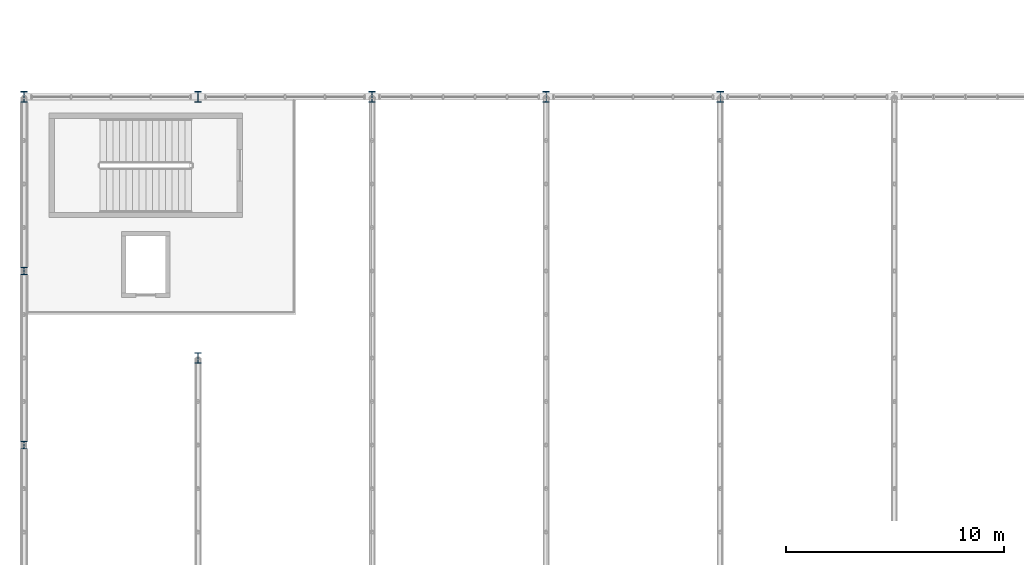
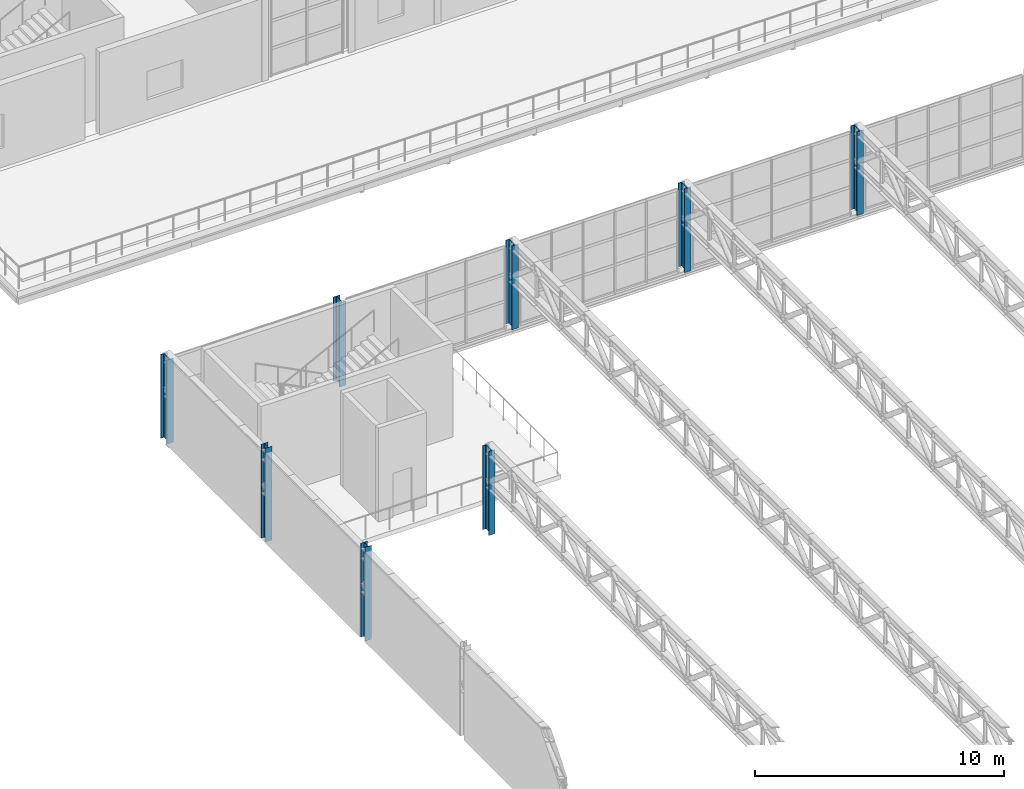
# One storey, part 3 of 67: 8 columns.
"""IFC4 building model written with IfcOpenShell, lengths in metres."""

from ifc_helpers import new_model, si_unit, derived_unit, direction, frame, origin, origin_2d, place, context, subcontext, project, spatial, i_section, extrude, material, material_profile, profile_set, type_object, element, save


model = new_model("IFC4")

# Units and contexts
model_context = context("Model", 3, precision=1e-05, world=origin(), true_north=direction((0.0, 1.0)))
body_context = subcontext(model_context, "Body", "Model", "MODEL_VIEW")
ifc_project = project(units=[si_unit("LENGTHUNIT", "METRE"), si_unit("AREAUNIT", "SQUARE_METRE"), si_unit("VOLUMEUNIT", "CUBIC_METRE"), si_unit("PLANEANGLEUNIT", "RADIAN"), si_unit("MASSUNIT", "GRAM", prefix="KILO"), derived_unit("THERMALTRANSMITTANCEUNIT", [(si_unit("POWERUNIT", "WATT"), 1), (si_unit("LENGTHUNIT", "METRE"), -2), (si_unit("THERMODYNAMICTEMPERATUREUNIT", "KELVIN"), -1)])], contexts=[model_context])

# Site, building, storey
site_placement = place(None, origin())
site = spatial("IfcSite", under=ifc_project, at=site_placement, CompositionType="ELEMENT")
building_placement = place(site_placement, origin())
building = spatial("IfcBuilding", under=site, at=building_placement, Name="Keldorne Ridge Multi-Sports Centre", CompositionType="ELEMENT")
storey_placement = place(building_placement, frame((0.0, 0.0, 14.0)))
storey = spatial("IfcBuildingStorey", under=building, at=storey_placement, Name="L03", CompositionType="ELEMENT", Elevation=14.0)

# Columns
ifc_material = material(Name="Steel S355", Category="steel")
ifc_material_profile_1 = material_profile(ifc_material, i_section(OverallWidth=0.300048828125, OverallDepth=0.5, WebThickness=0.014404296875, FlangeThickness=0.028076171875, FilletRadius=0.027099609375, at=origin_2d()), Name="HEB 500")
ifc_profile_set_1 = profile_set([ifc_material_profile_1], Name="Steel S355")
column_type_1 = type_object("IfcColumnType", Name="COL-C-05", PredefinedType="COLUMN", material=ifc_profile_set_1)
for number, where, z_axis, x_axis, name in (
    (1, (104.0, 54.0, 0.0), (0.0, 0.0, 1.0), (1.0, 0.0, 0.0), "Structural column V2-TRUSS-N-01 on L03"),
    (2, (112.0, 54.0, 0.0), (0.0, 0.0, 1.0), (1.0, 0.0, 0.0), "Structural column V2-TRUSS-N-02 on L03"),
    (3, (120.0, 54.0, 0.0), (0.0, 0.0, 1.0), (1.0, 0.0, 0.0), "Structural column V2-TRUSS-N-03 on L03"),
    (4, (128.0, 54.0, 0.0), (0.0, 0.0, 1.0), (1.0, 0.0, 0.0), "Structural column V2-TRUSS-N-04 on L03"),
    (5, (136.0, 54.0, 0.0), (0.0, 0.0, 1.0), (1.0, 0.0, 0.0), "Structural column V2-TRUSS-N-05 on L03"),
    (6, (112.0, 42.0, 0.0), (0.0, 0.0, 1.0), (1.0, 0.0, 0.0), "Structural column V2-C4-ANCH on L03"),
):
    element("IfcColumn", number, at=place(storey_placement, frame(where, z_axis=z_axis, x_axis=x_axis)), inside=storey, type_object=column_type_1, Name=name, PredefinedType="COLUMN", context=body_context, shape_type="SweptSolid", body=[
        extrude(i_section(OverallWidth=0.300048828125, OverallDepth=0.5, WebThickness=0.014404296875, FlangeThickness=0.028076171875, FilletRadius=0.027099609375, at=origin_2d()), origin(), (0.0, 0.0, 1.0), 4.110107421875),
    ])
ifc_material_profile_2 = material_profile(ifc_material, i_section(OverallWidth=0.300048828125, OverallDepth=0.35009765625, WebThickness=0.010009765625, FlangeThickness=0.017578125, FilletRadius=0.027099609375, at=origin_2d()), Name="HEA 360")
ifc_profile_set_2 = profile_set([ifc_material_profile_2], Name="Steel S355")
column_type_2 = type_object("IfcColumnType", Name="COL-C-16", PredefinedType="COLUMN", material=ifc_profile_set_2)
for number, where, z_axis, x_axis, name in (
    (7, (104.0, 38.0, 0.0), (0.0, 0.0, 1.0), (1.0, 0.0, 0.0), "Structural column V2-GABLE-W-04 on L03"),
    (8, (104.0, 46.0, 0.0), (0.0, 0.0, 1.0), (1.0, 0.0, 0.0), "Structural column V2-GABLE-W-05 on L03"),
):
    element("IfcColumn", number, at=place(storey_placement, frame(where, z_axis=z_axis, x_axis=x_axis)), inside=storey, type_object=column_type_2, Name=name, PredefinedType="COLUMN", context=body_context, shape_type="SweptSolid", body=[
        extrude(i_section(OverallWidth=0.300048828125, OverallDepth=0.35009765625, WebThickness=0.010009765625, FlangeThickness=0.017578125, FilletRadius=0.027099609375, at=origin_2d()), origin(), (0.0, 0.0, 1.0), 4.60009765625),
    ])

save(model, "model.ifc")
